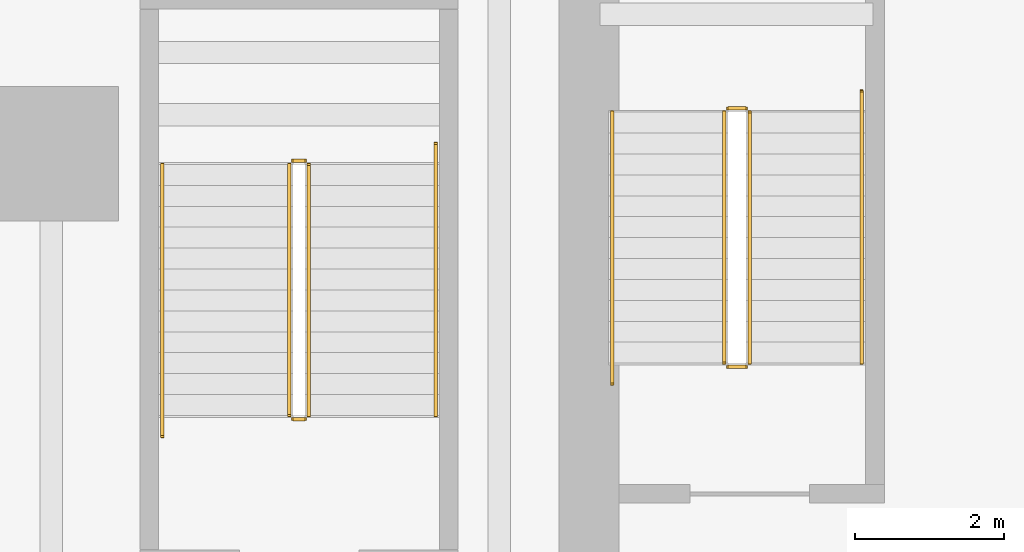
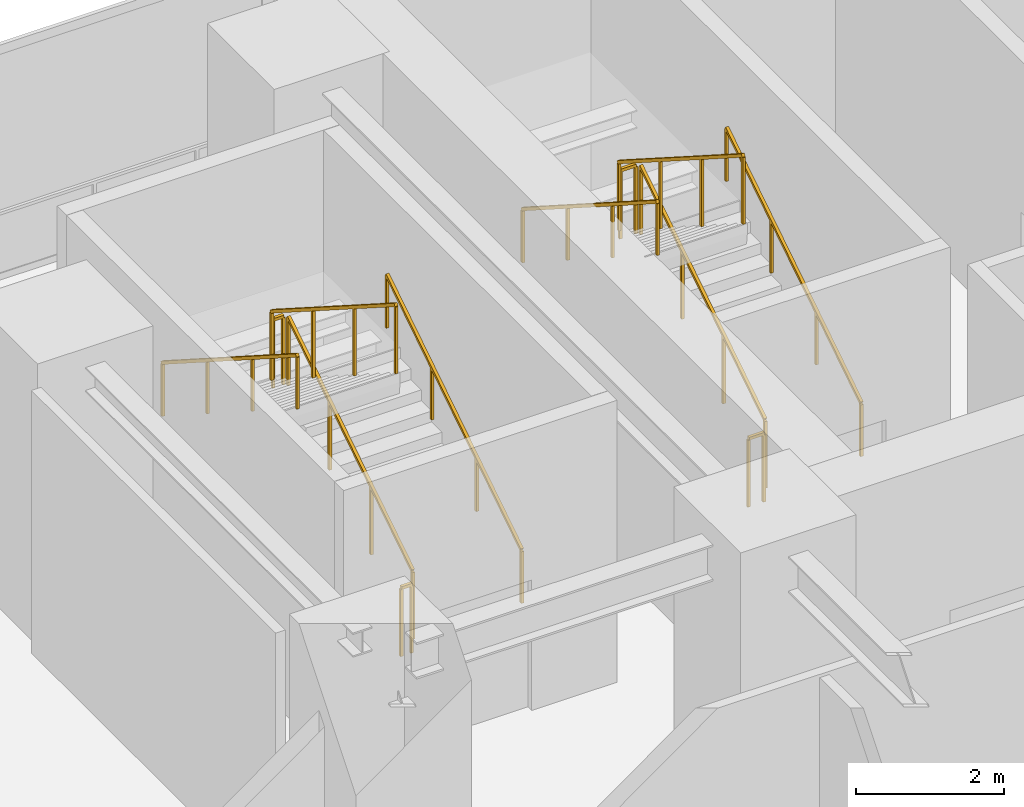
# One storey, part 11 of 15: 12 railings.
"""IFC4 building model written with IfcOpenShell, lengths in metres."""

from ifc_helpers import new_model, si_unit, direction, frame, origin, origin_2d, place, context, subcontext, project, spatial, rectangle, extrude, material, type_object, element, save


model = new_model("IFC4")

# Units and contexts
model_context = context("Model", 3, precision=1e-05, world=origin(), true_north=direction((0.0, 1.0)))
body_context = subcontext(model_context, "Body", "Model", "MODEL_VIEW")
ifc_project = project(units=[si_unit("LENGTHUNIT", "METRE"), si_unit("AREAUNIT", "SQUARE_METRE"), si_unit("VOLUMEUNIT", "CUBIC_METRE"), si_unit("PLANEANGLEUNIT", "RADIAN"), si_unit("MASSUNIT", "GRAM", prefix="KILO")], contexts=[model_context])

# Site, building, storey
site_placement = place(None, origin())
site = spatial("IfcSite", under=ifc_project, at=site_placement, CompositionType="ELEMENT")
building_placement = place(site_placement, origin())
building = spatial("IfcBuilding", under=site, at=building_placement, Name="Sumidabori Civic Tower", CompositionType="ELEMENT")
storey_placement = place(building_placement, frame((0.0, 0.0, 14.300048828125)))
storey = spatial("IfcBuildingStorey", under=building, at=storey_placement, Name="L03", CompositionType="ELEMENT", Elevation=14.300048828125)

# Railings
ifc_material_1 = material(Name="Stainless Steel Hairline Finish", Category="steel")
railing_type_1 = type_object("IfcRailingType", Name="RL-HANDRAIL", PredefinedType="HANDRAIL", material=ifc_material_1)
railing_1_placement = place(storey_placement, frame((-11.949951171875, 16.0, 0.1787109375)))
element("IfcRailing", 1, at=railing_1_placement, inside=storey, type_object=railing_type_1, Name="L03 ST-1 stair handrail 1", PredefinedType="HANDRAIL", context=body_context, shape_type="SweptSolid", body=[
    extrude(rectangle(XDim=0.048095703125, YDim=0.048095703125, at=origin_2d()), frame((0.0, 0.0, 0.8759765625), z_axis=(0.0, 0.842342193388, 0.538943066787), x_axis=(-1.0, 0.0, 0.0)), (0.0, 0.0, 1.0), 4.321044921875),
    extrude(rectangle(XDim=0.0419921875, YDim=0.0419921875, at=origin_2d()), origin(), (0.0, 0.0, 1.0), 0.851806640625),
    extrude(rectangle(XDim=0.0419921875, YDim=0.0419921875, at=origin_2d()), frame((0.0, 1.21337890625, 0.7763671875)), (0.0, 0.0, 1.0), 0.851806640625),
    extrude(rectangle(XDim=0.0419921875, YDim=0.0419921875, at=origin_2d()), frame((0.0, 2.426513671875, 1.552490234375)), (0.0, 0.0, 1.0), 0.851806640625),
    extrude(rectangle(XDim=0.0419921875, YDim=0.0419921875, at=origin_2d()), frame((0.0, 3.639892578125, 2.328857421875)), (0.0, 0.0, 1.0), 0.851806640625),
])
railing_2_placement = place(storey_placement, frame((-15.2900390625, 19.360107421875, 2.50390625)))
element("IfcRailing", 2, at=railing_2_placement, inside=storey, type_object=railing_type_1, Name="L03 ST-1 stair handrail 2", PredefinedType="HANDRAIL", context=body_context, shape_type="SweptSolid", body=[
    extrude(rectangle(XDim=0.048095703125, YDim=0.048095703125, at=origin_2d()), frame((0.0, 0.0, 0.8759765625), z_axis=(0.0, -0.842384249815, 0.538877328956), x_axis=(1.0, 0.0, 0.0)), (0.0, 0.0, 1.0), 4.3212890625),
    extrude(rectangle(XDim=0.0419921875, YDim=0.0419921875, at=origin_2d()), origin(), (0.0, 0.0, 1.0), 0.851806640625),
    extrude(rectangle(XDim=0.0419921875, YDim=0.0419921875, at=origin_2d()), frame((0.0, -1.21337890625, 0.776123046875)), (0.0, 0.0, 1.0), 0.851806640625),
    extrude(rectangle(XDim=0.0419921875, YDim=0.0419921875, at=origin_2d()), frame((0.0, -2.4267578125, 1.552490234375)), (0.0, 0.0, 1.0), 0.851806640625),
    extrude(rectangle(XDim=0.0419921875, YDim=0.0419921875, at=origin_2d()), frame((0.0, -3.64013671875, 2.32861328125)), (0.0, 0.0, 1.0), 0.851806640625),
])
railing_3_placement = place(storey_placement, frame((-17.64990234375, 15.300048828125, 0.1787109375)))
element("IfcRailing", 3, at=railing_3_placement, inside=storey, type_object=railing_type_1, Name="L03 ST-3 stair handrail 1", PredefinedType="HANDRAIL", context=body_context, shape_type="SweptSolid", body=[
    extrude(rectangle(XDim=0.048095703125, YDim=0.048095703125, at=origin_2d()), frame((0.0, 0.0, 0.8759765625), z_axis=(0.0, 0.842342193388, 0.538943066787), x_axis=(-1.0, 0.0, 0.0)), (0.0, 0.0, 1.0), 4.321044921875),
    extrude(rectangle(XDim=0.0419921875, YDim=0.0419921875, at=origin_2d()), origin(), (0.0, 0.0, 1.0), 0.851806640625),
    extrude(rectangle(XDim=0.0419921875, YDim=0.0419921875, at=origin_2d()), frame((0.0, 1.21337890625, 0.7763671875)), (0.0, 0.0, 1.0), 0.851806640625),
    extrude(rectangle(XDim=0.0419921875, YDim=0.0419921875, at=origin_2d()), frame((0.0, 2.426513671875, 1.552490234375)), (0.0, 0.0, 1.0), 0.851806640625),
    extrude(rectangle(XDim=0.0419921875, YDim=0.0419921875, at=origin_2d()), frame((0.0, 3.639892578125, 2.328857421875)), (0.0, 0.0, 1.0), 0.851806640625),
])
railing_4_placement = place(storey_placement, frame((-21.31005859375, 18.659912109375, 2.50390625)))
element("IfcRailing", 4, at=railing_4_placement, inside=storey, type_object=railing_type_1, Name="L03 ST-3 stair handrail 2", PredefinedType="HANDRAIL", context=body_context, shape_type="SweptSolid", body=[
    extrude(rectangle(XDim=0.048095703125, YDim=0.048095703125, at=origin_2d()), frame((0.0, 0.0, 0.8759765625), z_axis=(0.0, -0.842367842277, 0.538902976701), x_axis=(1.0, 0.0, 0.0)), (0.0, 0.0, 1.0), 4.321044921875),
    extrude(rectangle(XDim=0.0419921875, YDim=0.0419921875, at=origin_2d()), origin(), (0.0, 0.0, 1.0), 0.851806640625),
    extrude(rectangle(XDim=0.0419921875, YDim=0.0419921875, at=origin_2d()), frame((0.0, -1.21337890625, 0.776123046875)), (0.0, 0.0, 1.0), 0.851806640625),
    extrude(rectangle(XDim=0.0419921875, YDim=0.0419921875, at=origin_2d()), frame((0.0, -2.426513671875, 1.552490234375)), (0.0, 0.0, 1.0), 0.851806640625),
    extrude(rectangle(XDim=0.0419921875, YDim=0.0419921875, at=origin_2d()), frame((0.0, -3.639892578125, 2.32861328125)), (0.0, 0.0, 1.0), 0.851806640625),
])
ifc_material_2 = material(Name="Steel SN490", Category="steel")
railing_type_2 = type_object("IfcRailingType", Name="RL-STAIR-GUARD", PredefinedType="GUARDRAIL", material=ifc_material_2)
railing_5_placement = place(storey_placement, frame((-13.449951171875, 16.0, 0.1787109375)))
element("IfcRailing", 5, at=railing_5_placement, inside=storey, type_object=railing_type_2, Name="L03 ST-1 stair guard 1", PredefinedType="GUARDRAIL", context=body_context, shape_type="SweptSolid", body=[
    extrude(rectangle(XDim=0.048095703125, YDim=0.048095703125, at=origin_2d()), frame((0.0, 0.0, 1.1259765625), z_axis=(0.0, 0.842752589747, 0.538301098341), x_axis=(-1.0, 0.0, 0.0)), (0.0, 0.0, 1.0), 3.987060546875),
    extrude(rectangle(XDim=0.0419921875, YDim=0.0419921875, at=origin_2d()), origin(), (0.0, 0.0, 1.0), 1.101806640625),
    extrude(rectangle(XDim=0.0419921875, YDim=0.0419921875, at=origin_2d()), frame((0.0, 1.1201171875, 0.71533203125)), (0.0, 0.0, 1.0), 1.101806640625),
    extrude(rectangle(XDim=0.0419921875, YDim=0.0419921875, at=origin_2d()), frame((0.0, 2.239990234375, 1.430908203125)), (0.0, 0.0, 1.0), 1.101806640625),
    extrude(rectangle(XDim=0.0419921875, YDim=0.0419921875, at=origin_2d()), frame((0.0, 3.360107421875, 2.146240234375)), (0.0, 0.0, 1.0), 1.101806640625),
])
railing_6_placement = place(storey_placement, frame((-13.5, 19.409912109375, 2.324951171875)))
element("IfcRailing", 6, at=railing_6_placement, inside=storey, type_object=railing_type_2, Name="L03 ST-1 stair guard 2", PredefinedType="GUARDRAIL", context=body_context, shape_type="SweptSolid", body=[
    extrude(rectangle(XDim=0.048095703125, YDim=0.048095703125, at=origin_2d()), frame((0.0, 0.0, 1.1259765625), z_axis=(-1.0, 0.0, 0.0), x_axis=(0.0, -1.0, 0.0)), (0.0, 0.0, 1.0), 0.239990234375),
    extrude(rectangle(XDim=0.0419921875, YDim=0.0419921875, at=origin_2d()), origin(), (0.0, 0.0, 1.0), 1.101806640625),
    extrude(rectangle(XDim=0.0419921875, YDim=0.0419921875, at=origin_2d()), frame((-0.239990234375, 0.0, 0.0)), (0.0, 0.0, 1.0), 1.101806640625),
])
railing_7_placement = place(storey_placement, frame((-13.7900390625, 19.360107421875, 2.50390625)))
element("IfcRailing", 7, at=railing_7_placement, inside=storey, type_object=railing_type_2, Name="L03 ST-1 stair guard 3", PredefinedType="GUARDRAIL", context=body_context, shape_type="SweptSolid", body=[
    extrude(rectangle(XDim=0.048095703125, YDim=0.048095703125, at=origin_2d()), frame((0.0, 0.0, 1.1259765625), z_axis=(0.0, -0.842780368268, 0.538257606414), x_axis=(1.0, 0.0, 0.0)), (0.0, 0.0, 1.0), 3.98681640625),
    extrude(rectangle(XDim=0.0419921875, YDim=0.0419921875, at=origin_2d()), origin(), (0.0, 0.0, 1.0), 1.101806640625),
    extrude(rectangle(XDim=0.0419921875, YDim=0.0419921875, at=origin_2d()), frame((0.0, -1.1201171875, 0.71533203125)), (0.0, 0.0, 1.0), 1.101806640625),
    extrude(rectangle(XDim=0.0419921875, YDim=0.0419921875, at=origin_2d()), frame((0.0, -2.239990234375, 1.4306640625)), (0.0, 0.0, 1.0), 1.101806640625),
    extrude(rectangle(XDim=0.0419921875, YDim=0.0419921875, at=origin_2d()), frame((0.0, -3.360107421875, 2.14599609375)), (0.0, 0.0, 1.0), 1.101806640625),
])
railing_8_placement = place(storey_placement, frame((-13.5, 15.949951171875, 0.0)))
element("IfcRailing", 8, at=railing_8_placement, inside=storey, type_object=railing_type_2, Name="L03 ST-1 stair guard 4", PredefinedType="GUARDRAIL", context=body_context, shape_type="SweptSolid", body=[
    extrude(rectangle(XDim=0.048095703125, YDim=0.048095703125, at=origin_2d()), frame((0.0, 0.0, 1.1259765625), z_axis=(-1.0, 0.0, 0.0), x_axis=(0.0, -1.0, 0.0)), (0.0, 0.0, 1.0), 0.239990234375),
    extrude(rectangle(XDim=0.0419921875, YDim=0.0419921875, at=origin_2d()), origin(), (0.0, 0.0, 1.0), 1.101806640625),
    extrude(rectangle(XDim=0.0419921875, YDim=0.0419921875, at=origin_2d()), frame((-0.239990234375, 0.0, 0.0)), (0.0, 0.0, 1.0), 1.101806640625),
])
railing_9_placement = place(storey_placement, frame((-19.35009765625, 15.300048828125, 0.1787109375)))
element("IfcRailing", 9, at=railing_9_placement, inside=storey, type_object=railing_type_2, Name="L03 ST-3 stair guard 1", PredefinedType="GUARDRAIL", context=body_context, shape_type="SweptSolid", body=[
    extrude(rectangle(XDim=0.048095703125, YDim=0.048095703125, at=origin_2d()), frame((0.0, 0.0, 1.1259765625), z_axis=(0.0, 0.842734844946, 0.538328878209), x_axis=(-1.0, 0.0, 0.0)), (0.0, 0.0, 1.0), 3.98681640625),
    extrude(rectangle(XDim=0.0419921875, YDim=0.0419921875, at=origin_2d()), origin(), (0.0, 0.0, 1.0), 1.101806640625),
    extrude(rectangle(XDim=0.0419921875, YDim=0.0419921875, at=origin_2d()), frame((0.0, 1.119873046875, 0.71533203125)), (0.0, 0.0, 1.0), 1.101806640625),
    extrude(rectangle(XDim=0.0419921875, YDim=0.0419921875, at=origin_2d()), frame((0.0, 2.239990234375, 1.430908203125)), (0.0, 0.0, 1.0), 1.101806640625),
    extrude(rectangle(XDim=0.0419921875, YDim=0.0419921875, at=origin_2d()), frame((0.0, 3.35986328125, 2.146240234375)), (0.0, 0.0, 1.0), 1.101806640625),
])
railing_10_placement = place(storey_placement, frame((-19.39990234375, 18.7099609375, 2.324951171875)))
element("IfcRailing", 10, at=railing_10_placement, inside=storey, type_object=railing_type_2, Name="L03 ST-3 stair guard 2", PredefinedType="GUARDRAIL", context=body_context, shape_type="SweptSolid", body=[
    extrude(rectangle(XDim=0.048095703125, YDim=0.048095703125, at=origin_2d()), frame((0.0, 0.0, 1.1259765625), z_axis=(-1.0, 0.0, 0.0), x_axis=(0.0, -1.0, 0.0)), (0.0, 0.0, 1.0), 0.16015625),
    extrude(rectangle(XDim=0.0419921875, YDim=0.0419921875, at=origin_2d()), origin(), (0.0, 0.0, 1.0), 1.101806640625),
    extrude(rectangle(XDim=0.0419921875, YDim=0.0419921875, at=origin_2d()), frame((-0.16015625, 0.0, 0.0)), (0.0, 0.0, 1.0), 1.101806640625),
])
railing_11_placement = place(storey_placement, frame((-19.610107421875, 18.659912109375, 2.50390625)))
element("IfcRailing", 11, at=railing_11_placement, inside=storey, type_object=railing_type_2, Name="L03 ST-3 stair guard 3", PredefinedType="GUARDRAIL", context=body_context, shape_type="SweptSolid", body=[
    extrude(rectangle(XDim=0.048095703125, YDim=0.048095703125, at=origin_2d()), frame((0.0, 0.0, 1.1259765625), z_axis=(0.0, -0.842762625749, 0.538285385869), x_axis=(1.0, 0.0, 0.0)), (0.0, 0.0, 1.0), 3.98681640625),
    extrude(rectangle(XDim=0.0419921875, YDim=0.0419921875, at=origin_2d()), origin(), (0.0, 0.0, 1.0), 1.101806640625),
    extrude(rectangle(XDim=0.0419921875, YDim=0.0419921875, at=origin_2d()), frame((0.0, -1.119873046875, 0.71533203125)), (0.0, 0.0, 1.0), 1.101806640625),
    extrude(rectangle(XDim=0.0419921875, YDim=0.0419921875, at=origin_2d()), frame((0.0, -2.239990234375, 1.4306640625)), (0.0, 0.0, 1.0), 1.101806640625),
    extrude(rectangle(XDim=0.0419921875, YDim=0.0419921875, at=origin_2d()), frame((0.0, -3.35986328125, 2.14599609375)), (0.0, 0.0, 1.0), 1.101806640625),
])
railing_12_placement = place(storey_placement, frame((-19.39990234375, 15.25, 0.0)))
element("IfcRailing", 12, at=railing_12_placement, inside=storey, type_object=railing_type_2, Name="L03 ST-3 stair guard 4", PredefinedType="GUARDRAIL", context=body_context, shape_type="SweptSolid", body=[
    extrude(rectangle(XDim=0.048095703125, YDim=0.048095703125, at=origin_2d()), frame((0.0, 0.0, 1.1259765625), z_axis=(-1.0, 0.0, 0.0), x_axis=(0.0, -1.0, 0.0)), (0.0, 0.0, 1.0), 0.16015625),
    extrude(rectangle(XDim=0.0419921875, YDim=0.0419921875, at=origin_2d()), origin(), (0.0, 0.0, 1.0), 1.101806640625),
    extrude(rectangle(XDim=0.0419921875, YDim=0.0419921875, at=origin_2d()), frame((-0.16015625, 0.0, 0.0)), (0.0, 0.0, 1.0), 1.101806640625),
])

save(model, "model.ifc")
